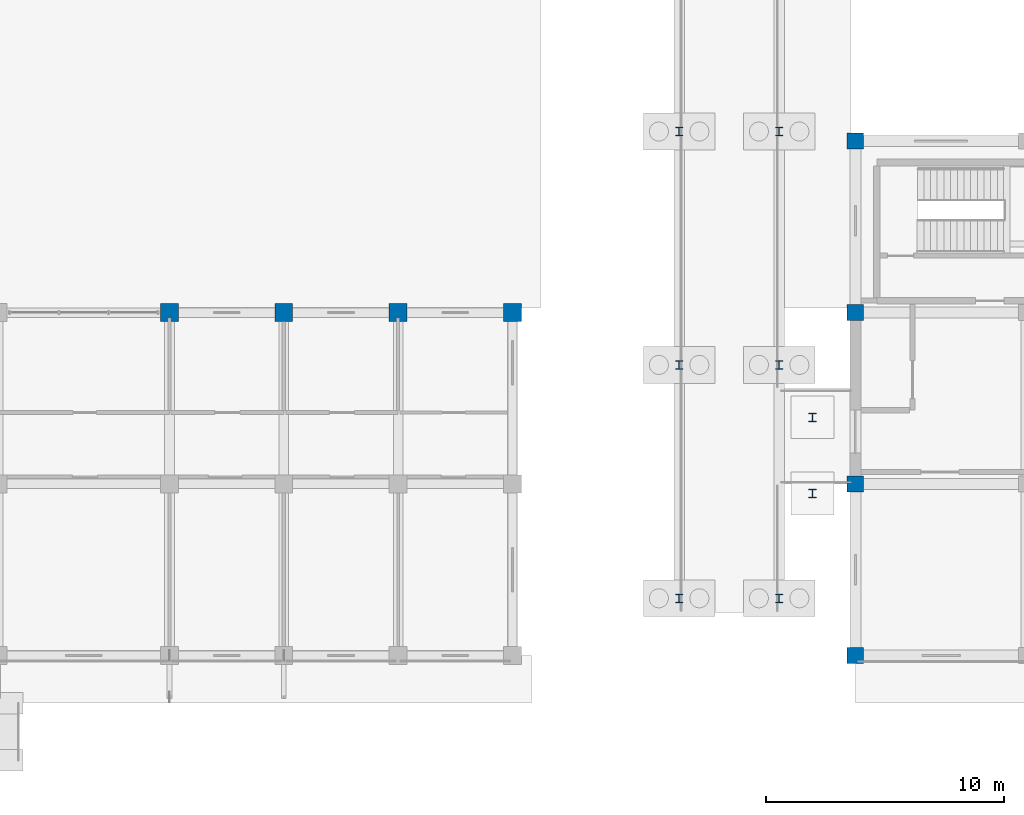
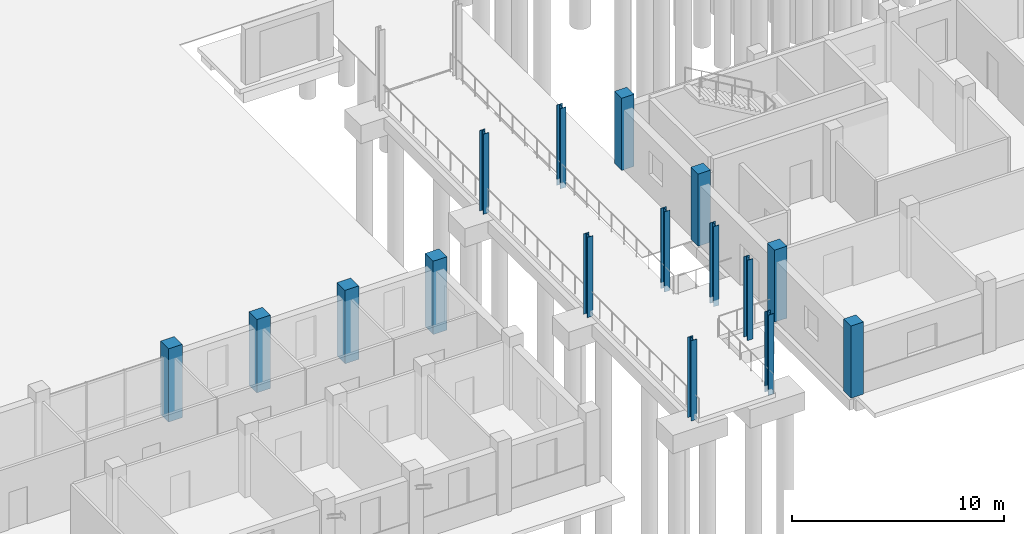
# One storey, part 6 of 98: 16 columns.
"""IFC4 building model written with IfcOpenShell, lengths in metres."""

from ifc_helpers import new_model, si_unit, direction, frame, origin, origin_2d, place, context, subcontext, project, spatial, rectangle, i_section, extrude, material, material_profile, profile_set, type_object, element, save


model = new_model("IFC4")

# Units and contexts
model_context = context("Model", 3, precision=1e-05, world=origin(), true_north=direction((0.0, 1.0)))
body_context = subcontext(model_context, "Body", "Model", "MODEL_VIEW")
ifc_project = project(units=[si_unit("LENGTHUNIT", "METRE"), si_unit("AREAUNIT", "SQUARE_METRE"), si_unit("VOLUMEUNIT", "CUBIC_METRE"), si_unit("PLANEANGLEUNIT", "RADIAN"), si_unit("MASSUNIT", "GRAM", prefix="KILO")], contexts=[model_context])

# Site, building, storey
site_placement = place(None, origin())
site = spatial("IfcSite", under=ifc_project, at=site_placement, CompositionType="ELEMENT")
building_placement = place(site_placement, origin())
building = spatial("IfcBuilding", under=site, at=building_placement, Name="Zornivar Specialist Clinic", CompositionType="ELEMENT")
storey_placement = place(building_placement, origin())
storey = spatial("IfcBuildingStorey", under=building, at=storey_placement, Name="L00", CompositionType="ELEMENT", Elevation=0.0)

# Columns
ifc_material_1 = material(Name="Concrete C35/45", Category="concrete")
ifc_material_profile_1 = material_profile(ifc_material_1, rectangle(XDim=0.679931640625, YDim=0.679931640625, at=origin_2d()), Name="RC 680x680")
ifc_profile_set_1 = profile_set([ifc_material_profile_1], Name="Concrete C35/45")
column_type_1 = type_object("IfcColumnType", Name="COL-RC-680", PredefinedType="COLUMN", material=ifc_profile_set_1)
for number, where, z_axis, x_axis, name in (
    (1, (57.60009765625, 0.0, 0.0), (0.0, 0.0, 1.0), (1.0, 0.0, 0.0), "col:V3:L00:576_0"),
    (2, (57.60009765625, 7.199951171875, 0.0), (0.0, 0.0, 1.0), (1.0, 0.0, 0.0), "col:V3:L00:576_72"),
    (3, (57.60009765625, 14.39990234375, 0.0), (0.0, 0.0, 1.0), (1.0, 0.0, 0.0), "col:V3:L00:576_144"),
    (4, (57.60009765625, 21.60009765625, 0.0), (0.0, 0.0, 1.0), (1.0, 0.0, 0.0), "col:V3:L00:576_216"),
):
    element("IfcColumn", number, at=place(storey_placement, frame(where, z_axis=z_axis, x_axis=x_axis)), inside=storey, type_object=column_type_1, Name=name, PredefinedType="COLUMN", context=body_context, shape_type="SweptSolid", body=[
        extrude(rectangle(XDim=0.679931640625, YDim=0.679931640625, at=origin_2d()), origin(), (0.0, 0.0, 1.0), 4.14990234375),
    ])
ifc_material_2 = material(Name="Concrete C35/45", Category="concrete")
ifc_material_profile_2 = material_profile(ifc_material_2, rectangle(XDim=0.75, YDim=0.75, at=origin_2d()), Name="RC 750x750")
ifc_profile_set_2 = profile_set([ifc_material_profile_2], Name="Concrete C35/45")
column_type_2 = type_object("IfcColumnType", Name="COL-RC-750", PredefinedType="COLUMN", material=ifc_profile_set_2)
for number, where, z_axis, x_axis, name in (
    (5, (28.800048828125, 14.39990234375, 0.0), (0.0, 0.0, 1.0), (1.0, 0.0, 0.0), "col:V2:L00:288_144"),
    (6, (33.60009765625, 14.39990234375, 0.0), (0.0, 0.0, 1.0), (1.0, 0.0, 0.0), "col:V2:L00:336_144"),
    (7, (38.39990234375, 14.39990234375, 0.0), (0.0, 0.0, 1.0), (1.0, 0.0, 0.0), "col:V2:L00:384_144"),
    (8, (43.199951171875, 14.39990234375, 0.0), (0.0, 0.0, 1.0), (1.0, 0.0, 0.0), "col:V2:L00:432_144"),
):
    element("IfcColumn", number, at=place(storey_placement, frame(where, z_axis=z_axis, x_axis=x_axis)), inside=storey, type_object=column_type_2, Name=name, PredefinedType="COLUMN", context=body_context, shape_type="SweptSolid", body=[
        extrude(rectangle(XDim=0.75, YDim=0.75, at=origin_2d()), origin(), (0.0, 0.0, 1.0), 4.219970703125),
    ])
ifc_material_3 = material(Name="Steel S355J2", Category="steel")
ifc_material_profile_3 = material_profile(ifc_material_3, i_section(OverallWidth=0.300048828125, OverallDepth=0.360107421875, WebThickness=0.012451171875, FlangeThickness=0.0224609375, FilletRadius=0.027099609375, at=origin_2d()), Name="HEB 360")
ifc_profile_set_3 = profile_set([ifc_material_profile_3], Name="Steel S355J2")
column_type_3 = type_object("IfcColumnType", Name="COL-STL-HEB360", PredefinedType="COLUMN", material=ifc_profile_set_3)
for number, where, z_axis, x_axis, name in (
    (9, (50.199951171875, 2.39990234375, -0.35009765625), (0.0, 0.0, 1.0), (1.0, 0.0, 0.0), "col:BR1:L00:502_24"),
    (10, (50.199951171875, 12.199951171875, -0.35009765625), (0.0, 0.0, 1.0), (1.0, 0.0, 0.0), "col:BR1:L00:502_122"),
    (11, (50.199951171875, 22.0, -0.35009765625), (0.0, 0.0, 1.0), (1.0, 0.0, 0.0), "col:BR1:L00:502_220"),
    (12, (54.39990234375, 2.39990234375, -0.35009765625), (0.0, 0.0, 1.0), (1.0, 0.0, 0.0), "col:BR1:L00:544_24"),
    (13, (54.39990234375, 12.199951171875, -0.35009765625), (0.0, 0.0, 1.0), (1.0, 0.0, 0.0), "col:BR1:L00:544_122"),
    (14, (54.39990234375, 22.0, -0.35009765625), (0.0, 0.0, 1.0), (1.0, 0.0, 0.0), "col:BR1:L00:544_220"),
    (15, (55.800048828125, 6.800048828125, -0.35009765625), (0.0, 0.0, 1.0), (1.0, 0.0, 0.0), "col:BR1:L00:558_68"),
    (16, (55.800048828125, 10.0, -0.35009765625), (0.0, 0.0, 1.0), (1.0, 0.0, 0.0), "col:BR1:L00:558_100"),
):
    element("IfcColumn", number, at=place(storey_placement, frame(where, z_axis=z_axis, x_axis=x_axis)), inside=storey, type_object=column_type_3, Name=name, PredefinedType="COLUMN", context=body_context, shape_type="SweptSolid", body=[
        extrude(i_section(OverallWidth=0.300048828125, OverallDepth=0.360107421875, WebThickness=0.012451171875, FlangeThickness=0.0224609375, FilletRadius=0.027099609375, at=origin_2d()), origin(), (0.0, 0.0, 1.0), 4.6201171875),
    ])

save(model, "model.ifc")
